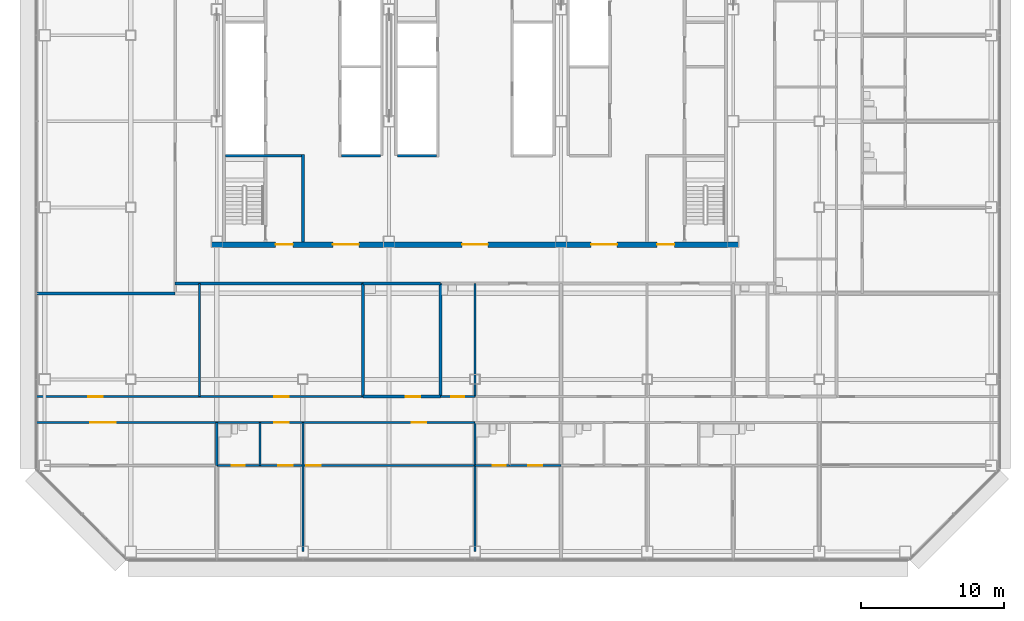
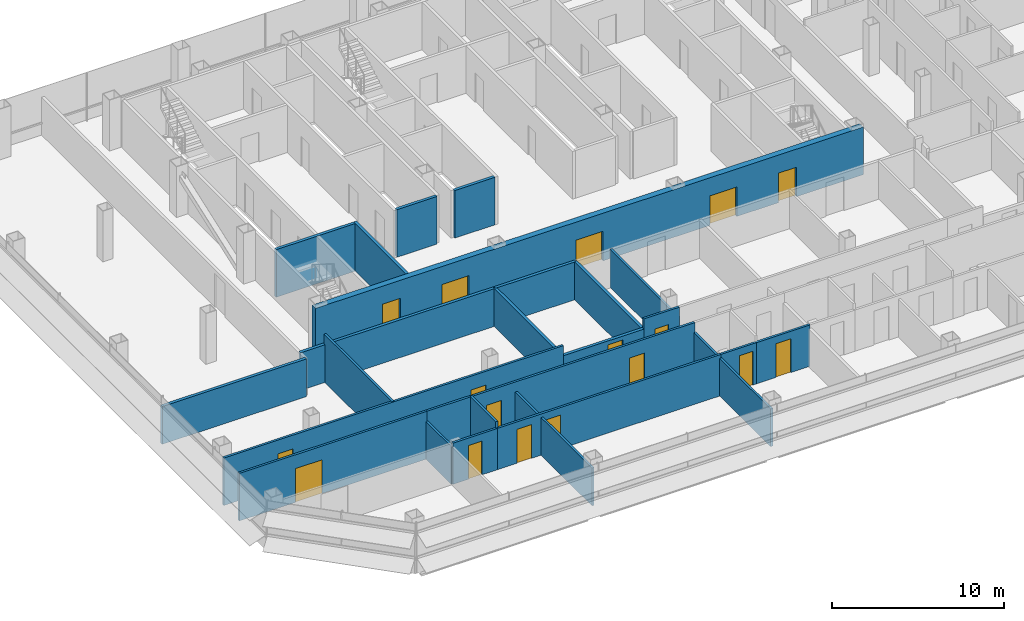
# One storey, part 19 of 26: 27 walls, 17 doors, 17 openings.
"""IFC4 building model written with IfcOpenShell, lengths in metres."""

from ifc_helpers import new_model, si_unit, direction, frame, frame_2d, origin, place, context, subcontext, project, spatial, rectangle, extrude, material, layer, layer_set, type_object, element, fill, save


model = new_model("IFC4")

# Units and contexts
model_context = context("Model", 3, precision=1e-05, world=origin(), true_north=direction((0.0, 1.0)))
body_context = subcontext(model_context, "Body", "Model", "MODEL_VIEW")
ifc_project = project(units=[si_unit("LENGTHUNIT", "METRE"), si_unit("AREAUNIT", "SQUARE_METRE"), si_unit("VOLUMEUNIT", "CUBIC_METRE"), si_unit("PLANEANGLEUNIT", "RADIAN"), si_unit("MASSUNIT", "GRAM", prefix="KILO")], contexts=[model_context])

# Site, building, storey
site_placement = place(None, origin())
site = spatial("IfcSite", under=ifc_project, at=site_placement, CompositionType="ELEMENT")
building_placement = place(site_placement, origin())
building = spatial("IfcBuilding", under=site, at=building_placement, Name="Sorahane Residences", CompositionType="ELEMENT")
storey_placement = place(building_placement, frame((0.0, 0.0, 110.60009765625)))
storey = spatial("IfcBuildingStorey", under=building, at=storey_placement, Name="L24", CompositionType="ELEMENT", Elevation=110.60009765625)

# Walls
ifc_material_1 = material(Name="Concrete blockwork C20 wall", Category="masonry")
ifc_layer_1 = layer(ifc_material_1, 0.199951171875)
ifc_layer_set_1 = layer_set([ifc_layer_1], Name="Corridor wall 200 EI 120")
wall_type_1 = type_object("IfcWallType", Name="Corridor wall 200 EI 120", PredefinedType="SOLIDWALL", material=ifc_layer_set_1)
wall_1_placement = place(storey_placement, frame((-6.60009765625, 18.0, 0.0), z_axis=(0.0, 0.0, 1.0), x_axis=(1.0, 0.0, 0.0)))
element("IfcWall", 1, at=wall_1_placement, inside=storey, type_object=wall_type_1, Name="L24 corridor wall", PredefinedType="SOLIDWALL", context=body_context, shape_type="SweptSolid", body=[
    extrude(rectangle(XDim=9.7001953125, YDim=0.199951171875, at=frame_2d((4.85009765625, 0.0))), origin(), (0.0, 0.0, 1.0), 2.679931640625),
])
wall_2_placement = place(storey_placement, frame((3.10009765625, 18.699951171875, 0.0), z_axis=(0.0, 0.0, 1.0), x_axis=(1.0, 0.0, 0.0)))
element("IfcWall", 2, at=wall_2_placement, inside=storey, type_object=wall_type_1, Name="L24 corridor wall", PredefinedType="SOLIDWALL", context=body_context, shape_type="SweptSolid", body=[
    extrude(rectangle(XDim=13.099853515625, YDim=0.199951171875, at=frame_2d((6.5498046875, 0.0))), origin(), (0.0, 0.0, 1.0), 2.679931640625),
])
ifc_material_2 = material(Name="Concrete C30", Category="concrete")
ifc_layer_2 = layer(ifc_material_2, 0.199951171875)
ifc_layer_set_2 = layer_set([ifc_layer_2], Name="Front room wall 200 EI 120")
wall_type_2 = type_object("IfcWallType", Name="Front room wall 200 EI 120", PredefinedType="PARTITIONING", material=ifc_layer_set_2)
wall_3_placement = place(storey_placement, frame((12.0, 21.60009765625, 0.0), z_axis=(0.0, 0.0, 1.0), x_axis=(0.0, 1.0, 0.0)))
element("IfcWall", 3, at=wall_3_placement, inside=storey, type_object=wall_type_2, Name="L24 front room wall", PredefinedType="PARTITIONING", context=body_context, shape_type="SweptSolid", body=[
    extrude(rectangle(XDim=6.099853515625, YDim=0.199951171875, at=frame_2d((3.0498046875, 0.0))), origin(), (0.0, 0.0, 1.0), 3.3798828125),
])
ifc_material_3 = material(Name="Concrete blockwork C20 wall", Category="masonry")
ifc_layer_3 = layer(ifc_material_3, 0.199951171875)
ifc_layer_set_3 = layer_set([ifc_layer_3], Name="Kitchen wall 200 EI 180")
wall_type_3 = type_object("IfcWallType", Name="Kitchen wall 200 EI 180", PredefinedType="SOLIDWALL", material=ifc_layer_set_3)
for number, where, z_axis, x_axis, name in (
    (4, (16.199951171875, 10.800048828125, 0.0), (0.0, 0.0, 1.0), (0.0, 1.0, 0.0), "L24 kitchen wall"),
    (5, (21.60009765625, 10.800048828125, 0.0), (0.0, 0.0, 1.0), (0.0, 1.0, 0.0), "L24 kitchen wall"),
):
    element("IfcWall", number, at=place(storey_placement, frame(where, z_axis=z_axis, x_axis=x_axis)), inside=storey, type_object=wall_type_3, Name=name, PredefinedType="SOLIDWALL", context=body_context, shape_type="SweptSolid", body=[
        extrude(rectangle(XDim=7.89990234375, YDim=0.199951171875, at=frame_2d((3.949951171875, 0.0))), origin(), (0.0, 0.0, 1.0), 2.679931640625),
    ])

# Wall, opening, door
wall_4_placement = place(storey_placement, frame((16.199951171875, 10.800048828125, 0.0), z_axis=(0.0, 0.0, 1.0), x_axis=(1.0, 0.0, 0.0)))
wall_4 = element("IfcWall", 6, at=wall_4_placement, inside=storey, type_object=wall_type_3, Name="L24 kitchen wall", PredefinedType="SOLIDWALL", context=body_context, shape_type="SweptSolid", body=[
    extrude(rectangle(XDim=5.400146484375, YDim=0.199951171875, at=frame_2d((2.7001953125, 0.0))), origin(), (0.0, 0.0, 1.0), 2.679931640625),
])
opening_1_placement = place(wall_4_placement, frame((2.97998046875, 0.0, 0.0)))
opening_1 = element("IfcOpeningElement", 7, at=opening_1_placement, cuts=wall_4, Name="Opening L24-04", PredefinedType="OPENING", context=body_context, shape_type="SweptSolid", body=[
    extrude(rectangle(XDim=1.0, YDim=2.39990234375, at=frame_2d((0.5, 1.199951171875))), frame((0.0, 0.10986328125, 0.0), z_axis=(0.0, -1.0, 0.0), x_axis=(1.0, 0.0, 0.0)), (0.0, 0.0, 1.0), 0.219970703125),
])
ifc_material_4 = material(Name="Steel", Category="steel")
door_type_1 = type_object("IfcDoorType", Name="Kitchen door 1000x2400 FD120", OperationType="NOTDEFINED", PredefinedType="DOOR", material=ifc_material_4)
door_1_placement = place(opening_1_placement, origin())
door_1 = element("IfcDoor", 8, at=door_1_placement, inside=storey, type_object=door_type_1, Name="Kitchen door L24-04", OperationType="SINGLE_SWING_RIGHT", OverallHeight=2.39990234375, OverallWidth=1.0, PredefinedType="DOOR", context=body_context, shape_type="SweptSolid", body=[
    extrude(rectangle(XDim=1.0, YDim=2.39990234375, at=frame_2d((0.5, 1.199951171875))), frame((0.0, 0.02490234375, 0.0), z_axis=(0.0, -1.0, 0.0), x_axis=(1.0, 0.0, 0.0)), (0.0, 0.0, 1.0), 0.050048828125),
])
fill(opening_1, door_1)

# Walls
wall_5_placement = place(storey_placement, frame((16.199951171875, 18.699951171875, 0.0), z_axis=(0.0, 0.0, 1.0), x_axis=(1.0, 0.0, 0.0)))
element("IfcWall", 9, at=wall_5_placement, inside=storey, type_object=wall_type_3, Name="L24 kitchen wall", PredefinedType="SOLIDWALL", context=body_context, shape_type="SweptSolid", body=[
    extrude(rectangle(XDim=5.400146484375, YDim=0.199951171875, at=frame_2d((2.7001953125, 0.0))), origin(), (0.0, 0.0, 1.0), 2.679931640625),
])
ifc_material_5 = material(Name="Concrete C30", Category="concrete")
ifc_layer_4 = layer(ifc_material_5, 0.199951171875)
ifc_layer_set_4 = layer_set([ifc_layer_4], Name="Lift shaft wall 200 EI 120")
wall_type_4 = type_object("IfcWallType", Name="Lift shaft wall 200 EI 120", PredefinedType="SOLIDWALL", material=ifc_layer_set_4)
for number, where, z_axis, x_axis, name in (
    (10, (14.699951171875, 27.60009765625, 0.0), (0.0, 0.0, 1.0), (1.0, 0.0, 0.0), "L24 lift shaft wall"),
    (11, (18.60009765625, 27.60009765625, 0.0), (0.0, 0.0, 1.0), (1.0, 0.0, 0.0), "L24 lift shaft wall"),
):
    element("IfcWall", number, at=place(storey_placement, frame(where, z_axis=z_axis, x_axis=x_axis)), inside=storey, type_object=wall_type_4, Name=name, PredefinedType="SOLIDWALL", context=body_context, shape_type="SweptSolid", body=[
        extrude(rectangle(XDim=2.699951171875, YDim=0.199951171875, at=frame_2d((1.35009765625, 0.0))), origin(), (0.0, 0.0, 1.0), 3.3798828125),
    ])
ifc_material_6 = material(Name="Gypsum board partition on steel studs", Category="steel")
ifc_layer_5 = layer(ifc_material_6, 0.14990234375)
ifc_layer_set_5 = layer_set([ifc_layer_5], Name="Partition 150 EI 90")
wall_type_5 = type_object("IfcWallType", Name="Partition 150 EI 90", PredefinedType="PARTITIONING", material=ifc_layer_set_5)
wall_6_placement = place(storey_placement, frame((12.0, 0.0, 0.0), z_axis=(0.0, 0.0, 1.0), x_axis=(0.0, 1.0, 0.0)))
element("IfcWall", 12, at=wall_6_placement, inside=storey, type_object=wall_type_5, Name="L24 partition", PredefinedType="PARTITIONING", context=body_context, shape_type="SweptSolid", body=[
    extrude(rectangle(XDim=9.0, YDim=0.14990234375, at=frame_2d((4.5, 0.0))), origin(), (0.0, 0.0, 1.0), 2.679931640625),
])
wall_7_placement = place(storey_placement, frame((24.0, 0.0, 0.0), z_axis=(0.0, 0.0, 1.0), x_axis=(0.0, 1.0, 0.0)))
element("IfcWall", 13, at=wall_7_placement, inside=storey, type_object=wall_type_5, Name="L24 partition", PredefinedType="PARTITIONING", context=body_context, shape_type="SweptSolid", body=[
    extrude(rectangle(XDim=6.0, YDim=0.14990234375, at=frame_2d((3.0, 0.0))), origin(), (0.0, 0.0, 1.0), 2.679931640625),
])
wall_8_placement = place(storey_placement, frame((4.800048828125, 10.800048828125, 0.0), z_axis=(0.0, 0.0, 1.0), x_axis=(0.0, 1.0, 0.0)))
element("IfcWall", 14, at=wall_8_placement, inside=storey, type_object=wall_type_5, Name="L24 partition", PredefinedType="PARTITIONING", context=body_context, shape_type="SweptSolid", body=[
    extrude(rectangle(XDim=7.89990234375, YDim=0.14990234375, at=frame_2d((3.949951171875, 0.0))), origin(), (0.0, 0.0, 1.0), 3.3798828125),
])

# Wall, openings, doors
wall_9_placement = place(storey_placement, frame((-6.60009765625, 10.800048828125, 0.0), z_axis=(0.0, 0.0, 1.0), x_axis=(1.0, 0.0, 0.0)))
wall_9 = element("IfcWall", 15, at=wall_9_placement, inside=storey, type_object=wall_type_5, Name="L24 partition", PredefinedType="PARTITIONING", context=body_context, shape_type="SweptSolid", body=[
    extrude(rectangle(XDim=22.800048828125, YDim=0.14990234375, at=frame_2d((11.39990234375, 0.0))), origin(), (0.0, 0.0, 1.0), 3.3798828125),
])
opening_2_placement = place(wall_9_placement, frame((3.639892578125, 0.0, 0.0)))
opening_2 = element("IfcOpeningElement", 16, at=opening_2_placement, cuts=wall_9, Name="Opening L24-02", PredefinedType="OPENING", context=body_context, shape_type="SweptSolid", body=[
    extrude(rectangle(XDim=1.0, YDim=2.39990234375, at=frame_2d((0.5, 1.199951171875))), frame((0.0, 0.0849609375, 0.0), z_axis=(0.0, -1.0, 0.0), x_axis=(1.0, 0.0, 0.0)), (0.0, 0.0, 1.0), 0.169921875),
])
opening_3_placement = place(wall_9_placement, frame((16.60009765625, 0.0, 0.0)))
opening_3 = element("IfcOpeningElement", 17, at=opening_3_placement, cuts=wall_9, Name="Opening L24-03", PredefinedType="OPENING", context=body_context, shape_type="SweptSolid", body=[
    extrude(rectangle(XDim=1.0, YDim=2.39990234375, at=frame_2d((0.5, 1.199951171875))), frame((0.0, 0.0849609375, 0.0), z_axis=(0.0, -1.0, 0.0), x_axis=(1.0, 0.0, 0.0)), (0.0, 0.0, 1.0), 0.169921875),
])
ifc_material_7 = material(Name="Timber veneered fire door", Category="wood")
door_type_2 = type_object("IfcDoorType", Name="Room door 1000x2400 FD30", OperationType="NOTDEFINED", PredefinedType="DOOR", material=ifc_material_7)
door_2_placement = place(opening_2_placement, origin())
door_2 = element("IfcDoor", 18, at=door_2_placement, inside=storey, type_object=door_type_2, Name="Room door L24-02", OperationType="SINGLE_SWING_LEFT", OverallHeight=2.39990234375, OverallWidth=1.0, PredefinedType="DOOR", context=body_context, shape_type="SweptSolid", body=[
    extrude(rectangle(XDim=1.0, YDim=2.39990234375, at=frame_2d((0.5, 1.199951171875))), frame((0.0, 0.02490234375, 0.0), z_axis=(0.0, -1.0, 0.0), x_axis=(1.0, 0.0, 0.0)), (0.0, 0.0, 1.0), 0.050048828125),
])
fill(opening_2, door_2)
door_3_placement = place(opening_3_placement, origin())
door_3 = element("IfcDoor", 19, at=door_3_placement, inside=storey, type_object=door_type_2, Name="Room door L24-03", OperationType="SINGLE_SWING_LEFT", OverallHeight=2.39990234375, OverallWidth=1.0, PredefinedType="DOOR", context=body_context, shape_type="SweptSolid", body=[
    extrude(rectangle(XDim=1.0, YDim=2.39990234375, at=frame_2d((0.5, 1.199951171875))), frame((0.0, 0.02490234375, 0.0), z_axis=(0.0, -1.0, 0.0), x_axis=(1.0, 0.0, 0.0)), (0.0, 0.0, 1.0), 0.050048828125),
])
fill(opening_3, door_3)

wall_10_placement = place(storey_placement, frame((9.0, 6.0, 0.0), z_axis=(0.0, 0.0, 1.0), x_axis=(1.0, 0.0, 0.0)))
wall_10 = element("IfcWall", 20, at=wall_10_placement, inside=storey, type_object=wall_type_5, Name="L24 partition", PredefinedType="PARTITIONING", context=body_context, shape_type="SweptSolid", body=[
    extrude(rectangle(XDim=15.0, YDim=0.14990234375, at=frame_2d((7.5, 0.0))), origin(), (0.0, 0.0, 1.0), 2.929931640625),
])
opening_4_placement = place(wall_10_placement, frame((1.300048828125, 0.0, 0.0)))
opening_4 = element("IfcOpeningElement", 21, at=opening_4_placement, cuts=wall_10, Name="Opening L24-11", PredefinedType="OPENING", context=body_context, shape_type="SweptSolid", body=[
    extrude(rectangle(XDim=1.0, YDim=2.39990234375, at=frame_2d((0.5, 1.199951171875))), frame((0.0, 0.0849609375, 0.0), z_axis=(0.0, -1.0, 0.0), x_axis=(1.0, 0.0, 0.0)), (0.0, 0.0, 1.0), 0.169921875),
])
opening_5_placement = place(wall_10_placement, frame((3.25, 0.0, 0.0)))
opening_5 = element("IfcOpeningElement", 22, at=opening_5_placement, cuts=wall_10, Name="Opening L24-13", PredefinedType="OPENING", context=body_context, shape_type="SweptSolid", body=[
    extrude(rectangle(XDim=1.0, YDim=2.39990234375, at=frame_2d((0.5, 1.199951171875))), frame((0.0, 0.0849609375, 0.0), z_axis=(0.0, -1.0, 0.0), x_axis=(1.0, 0.0, 0.0)), (0.0, 0.0, 1.0), 0.169921875),
])
door_4_placement = place(opening_4_placement, frame((1.0, 0.0, 0.0), z_axis=(0.0, 0.0, 1.0), x_axis=(-1.0, 0.0, 0.0)))
door_4 = element("IfcDoor", 23, at=door_4_placement, inside=storey, type_object=door_type_2, Name="Room door L24-11", OperationType="SINGLE_SWING_LEFT", OverallHeight=2.39990234375, OverallWidth=1.0, PredefinedType="DOOR", context=body_context, shape_type="SweptSolid", body=[
    extrude(rectangle(XDim=1.0, YDim=2.39990234375, at=frame_2d((0.5, 1.199951171875))), frame((0.0, 0.02490234375, 0.0), z_axis=(0.0, -1.0, 0.0), x_axis=(1.0, 0.0, 0.0)), (0.0, 0.0, 1.0), 0.050048828125),
])
fill(opening_4, door_4)
door_5_placement = place(opening_5_placement, frame((1.0, 0.0, 0.0), z_axis=(0.0, 0.0, 1.0), x_axis=(-1.0, 0.0, 0.0)))
door_5 = element("IfcDoor", 24, at=door_5_placement, inside=storey, type_object=door_type_2, Name="Room door L24-13", OperationType="SINGLE_SWING_LEFT", OverallHeight=2.39990234375, OverallWidth=1.0, PredefinedType="DOOR", context=body_context, shape_type="SweptSolid", body=[
    extrude(rectangle(XDim=1.0, YDim=2.39990234375, at=frame_2d((0.5, 1.199951171875))), frame((0.0, 0.02490234375, 0.0), z_axis=(0.0, -1.0, 0.0), x_axis=(1.0, 0.0, 0.0)), (0.0, 0.0, 1.0), 0.050048828125),
])
fill(opening_5, door_5)

# Wall, opening, door
wall_11_placement = place(storey_placement, frame((26.39990234375, 6.0, 0.0), z_axis=(0.0, 0.0, 1.0), x_axis=(1.0, 0.0, 0.0)))
wall_11 = element("IfcWall", 25, at=wall_11_placement, inside=storey, type_object=wall_type_5, Name="L24 partition", PredefinedType="PARTITIONING", context=body_context, shape_type="SweptSolid", body=[
    extrude(rectangle(XDim=3.60009765625, YDim=0.14990234375, at=frame_2d((1.800048828125, 0.0))), origin(), (0.0, 0.0, 1.0), 2.929931640625),
])
opening_6_placement = place(wall_11_placement, frame((1.300048828125, 0.0, 0.0)))
opening_6 = element("IfcOpeningElement", 26, at=opening_6_placement, cuts=wall_11, Name="Opening L24-14", PredefinedType="OPENING", context=body_context, shape_type="SweptSolid", body=[
    extrude(rectangle(XDim=1.0, YDim=2.39990234375, at=frame_2d((0.5, 1.199951171875))), frame((0.0, 0.0849609375, 0.0), z_axis=(0.0, -1.0, 0.0), x_axis=(1.0, 0.0, 0.0)), (0.0, 0.0, 1.0), 0.169921875),
])
door_6_placement = place(opening_6_placement, frame((1.0, 0.0, 0.0), z_axis=(0.0, 0.0, 1.0), x_axis=(-1.0, 0.0, 0.0)))
door_6 = element("IfcDoor", 27, at=door_6_placement, inside=storey, type_object=door_type_2, Name="Room door L24-14", OperationType="SINGLE_SWING_LEFT", OverallHeight=2.39990234375, OverallWidth=1.0, PredefinedType="DOOR", context=body_context, shape_type="SweptSolid", body=[
    extrude(rectangle(XDim=1.0, YDim=2.39990234375, at=frame_2d((0.5, 1.199951171875))), frame((0.0, 0.02490234375, 0.0), z_axis=(0.0, -1.0, 0.0), x_axis=(1.0, 0.0, 0.0)), (0.0, 0.0, 1.0), 0.050048828125),
])
fill(opening_6, door_6)

wall_12_placement = place(storey_placement, frame((-6.60009765625, 9.0, 0.0), z_axis=(0.0, 0.0, 1.0), x_axis=(1.0, 0.0, 0.0)))
wall_12 = element("IfcWall", 28, at=wall_12_placement, inside=storey, type_object=wall_type_5, Name="L24 partition", PredefinedType="PARTITIONING", context=body_context, shape_type="SweptSolid", body=[
    extrude(rectangle(XDim=12.60009765625, YDim=0.14990234375, at=frame_2d((6.300048828125, 0.0))), origin(), (0.0, 0.0, 1.0), 3.3798828125),
])
opening_7_placement = place(wall_12_placement, frame((3.760009765625, 0.0, 0.0)))
opening_7 = element("IfcOpeningElement", 29, at=opening_7_placement, cuts=wall_12, Name="Opening L24-06", PredefinedType="OPENING", context=body_context, shape_type="SweptSolid", body=[
    extrude(rectangle(XDim=1.800048828125, YDim=2.39990234375, at=frame_2d((0.89990234375, 1.199951171875))), frame((0.0, 0.0849609375, 0.0), z_axis=(0.0, -1.0, 0.0), x_axis=(1.0, 0.0, 0.0)), (0.0, 0.0, 1.0), 0.169921875),
])
ifc_material_8 = material(Name="Timber veneered fire door", Category="wood")
door_type_3 = type_object("IfcDoorType", Name="Double door 1800x2400 FD30", OperationType="NOTDEFINED", PredefinedType="DOOR", material=ifc_material_8)
door_7_placement = place(opening_7_placement, frame((1.800048828125, 0.0, 0.0), z_axis=(0.0, 0.0, 1.0), x_axis=(-1.0, 0.0, 0.0)))
door_7 = element("IfcDoor", 30, at=door_7_placement, inside=storey, type_object=door_type_3, Name="Double door L24-06", OperationType="SINGLE_SWING_LEFT", OverallHeight=2.39990234375, OverallWidth=1.800048828125, PredefinedType="DOOR", context=body_context, shape_type="SweptSolid", body=[
    extrude(rectangle(XDim=1.800048828125, YDim=2.39990234375, at=frame_2d((0.89990234375, 1.199951171875))), frame((0.0, 0.02490234375, 0.0), z_axis=(0.0, -1.0, 0.0), x_axis=(1.0, 0.0, 0.0)), (0.0, 0.0, 1.0), 0.050048828125),
])
fill(opening_7, door_7)

# Wall, openings, doors
wall_13_placement = place(storey_placement, frame((9.0, 9.0, 0.0), z_axis=(0.0, 0.0, 1.0), x_axis=(1.0, 0.0, 0.0)))
wall_13 = element("IfcWall", 31, at=wall_13_placement, inside=storey, type_object=wall_type_5, Name="L24 partition", PredefinedType="PARTITIONING", context=body_context, shape_type="SweptSolid", body=[
    extrude(rectangle(XDim=15.0, YDim=0.14990234375, at=frame_2d((7.5, 0.0))), origin(), (0.0, 0.0, 1.0), 3.3798828125),
])
opening_8_placement = place(wall_13_placement, frame((1.0, 0.0, 0.0)))
opening_8 = element("IfcOpeningElement", 32, at=opening_8_placement, cuts=wall_13, Name="Opening L24-07", PredefinedType="OPENING", context=body_context, shape_type="SweptSolid", body=[
    extrude(rectangle(XDim=1.0, YDim=2.39990234375, at=frame_2d((0.5, 1.199951171875))), frame((0.0, 0.0849609375, 0.0), z_axis=(0.0, -1.0, 0.0), x_axis=(1.0, 0.0, 0.0)), (0.0, 0.0, 1.0), 0.169921875),
])
opening_9_placement = place(wall_13_placement, frame((10.60009765625, 0.0, 0.0)))
opening_9 = element("IfcOpeningElement", 33, at=opening_9_placement, cuts=wall_13, Name="Opening L24-08", PredefinedType="OPENING", context=body_context, shape_type="SweptSolid", body=[
    extrude(rectangle(XDim=1.0, YDim=2.39990234375, at=frame_2d((0.5, 1.199951171875))), frame((0.0, 0.0849609375, 0.0), z_axis=(0.0, -1.0, 0.0), x_axis=(1.0, 0.0, 0.0)), (0.0, 0.0, 1.0), 0.169921875),
])
door_8_placement = place(opening_8_placement, frame((1.0, 0.0, 0.0), z_axis=(0.0, 0.0, 1.0), x_axis=(-1.0, 0.0, 0.0)))
door_8 = element("IfcDoor", 34, at=door_8_placement, inside=storey, type_object=door_type_2, Name="Room door L24-07", OperationType="SINGLE_SWING_RIGHT", OverallHeight=2.39990234375, OverallWidth=1.0, PredefinedType="DOOR", context=body_context, shape_type="SweptSolid", body=[
    extrude(rectangle(XDim=1.0, YDim=2.39990234375, at=frame_2d((0.5, 1.199951171875))), frame((0.0, 0.02490234375, 0.0), z_axis=(0.0, -1.0, 0.0), x_axis=(1.0, 0.0, 0.0)), (0.0, 0.0, 1.0), 0.050048828125),
])
fill(opening_8, door_8)
door_9_placement = place(opening_9_placement, frame((1.0, 0.0, 0.0), z_axis=(0.0, 0.0, 1.0), x_axis=(-1.0, 0.0, 0.0)))
door_9 = element("IfcDoor", 35, at=door_9_placement, inside=storey, type_object=door_type_2, Name="Room door L24-08", OperationType="SINGLE_SWING_RIGHT", OverallHeight=2.39990234375, OverallWidth=1.0, PredefinedType="DOOR", context=body_context, shape_type="SweptSolid", body=[
    extrude(rectangle(XDim=1.0, YDim=2.39990234375, at=frame_2d((0.5, 1.199951171875))), frame((0.0, 0.02490234375, 0.0), z_axis=(0.0, -1.0, 0.0), x_axis=(1.0, 0.0, 0.0)), (0.0, 0.0, 1.0), 0.050048828125),
])
fill(opening_9, door_9)

# Wall
ifc_material_9 = material(Name="Concrete C30", Category="concrete")
ifc_layer_6 = layer(ifc_material_9, 0.199951171875)
ifc_layer_set_6 = layer_set([ifc_layer_6], Name="Stair enclosure wall 200 EI 120")
wall_type_6 = type_object("IfcWallType", Name="Stair enclosure wall 200 EI 120", PredefinedType="SOLIDWALL", material=ifc_layer_set_6)
wall_14_placement = place(storey_placement, frame((6.60009765625, 27.60009765625, 0.0), z_axis=(0.0, 0.0, 1.0), x_axis=(1.0, 0.0, 0.0)))
element("IfcWall", 36, at=wall_14_placement, inside=storey, type_object=wall_type_6, Name="L24 stair enclosure wall", PredefinedType="SOLIDWALL", context=body_context, shape_type="SweptSolid", body=[
    extrude(rectangle(XDim=5.2998046875, YDim=0.199951171875, at=frame_2d((2.64990234375, 0.0))), origin(), (0.0, 0.0, 1.0), 3.3798828125),
])

# Wall, openings, doors
ifc_material_10 = material(Name="Concrete C30", Category="concrete")
ifc_layer_7 = layer(ifc_material_10, 0.39990234375)
ifc_layer_set_7 = layer_set([ifc_layer_7], Name="Waiting hall wall 400 EI 120")
wall_type_7 = type_object("IfcWallType", Name="Waiting hall wall 400 EI 120", PredefinedType="SOLIDWALL", material=ifc_layer_set_7)
wall_15_placement = place(storey_placement, frame((5.60009765625, 21.39990234375, 0.0), z_axis=(0.0, 0.0, 1.0), x_axis=(1.0, 0.0, 0.0)))
wall_15 = element("IfcWall", 37, at=wall_15_placement, inside=storey, type_object=wall_type_7, Name="L24 waiting hall wall", PredefinedType="SOLIDWALL", context=body_context, shape_type="SweptSolid", body=[
    extrude(rectangle(XDim=36.7998046875, YDim=0.39990234375, at=frame_2d((18.39990234375, 0.0))), origin(), (0.0, 0.0, 1.0), 3.3798828125),
])
opening_10_placement = place(wall_15_placement, frame((8.5, 0.0, 0.0)))
opening_10 = element("IfcOpeningElement", 38, at=opening_10_placement, cuts=wall_15, Name="Opening L24-C01", PredefinedType="OPENING", context=body_context, shape_type="SweptSolid", body=[
    extrude(rectangle(XDim=1.800048828125, YDim=2.10009765625, at=frame_2d((0.89990234375, 1.050048828125))), frame((0.0, 0.2099609375, 0.0), z_axis=(0.0, -1.0, 0.0), x_axis=(1.0, 0.0, 0.0)), (0.0, 0.0, 1.0), 0.419921875),
])
opening_11_placement = place(wall_15_placement, frame((17.5, 0.0, 0.0)))
opening_11 = element("IfcOpeningElement", 39, at=opening_11_placement, cuts=wall_15, Name="Opening L24-C02", PredefinedType="OPENING", context=body_context, shape_type="SweptSolid", body=[
    extrude(rectangle(XDim=1.800048828125, YDim=2.10009765625, at=frame_2d((0.89990234375, 1.050048828125))), frame((0.0, 0.2099609375, 0.0), z_axis=(0.0, -1.0, 0.0), x_axis=(1.0, 0.0, 0.0)), (0.0, 0.0, 1.0), 0.419921875),
])
opening_12_placement = place(wall_15_placement, frame((26.5, 0.0, 0.0)))
opening_12 = element("IfcOpeningElement", 40, at=opening_12_placement, cuts=wall_15, Name="Opening L24-C03", PredefinedType="OPENING", context=body_context, shape_type="SweptSolid", body=[
    extrude(rectangle(XDim=1.800048828125, YDim=2.10009765625, at=frame_2d((0.89990234375, 1.050048828125))), frame((0.0, 0.2099609375, 0.0), z_axis=(0.0, -1.0, 0.0), x_axis=(1.0, 0.0, 0.0)), (0.0, 0.0, 1.0), 0.419921875),
])
opening_13_placement = place(wall_15_placement, frame((4.5, 0.0, 0.0)))
opening_13 = element("IfcOpeningElement", 41, at=opening_13_placement, cuts=wall_15, Name="Opening L24-C04", PredefinedType="OPENING", context=body_context, shape_type="SweptSolid", body=[
    extrude(rectangle(XDim=1.199951171875, YDim=2.10009765625, at=frame_2d((0.60009765625, 1.050048828125))), frame((0.0, 0.2099609375, 0.0), z_axis=(0.0, -1.0, 0.0), x_axis=(1.0, 0.0, 0.0)), (0.0, 0.0, 1.0), 0.419921875),
])
opening_14_placement = place(wall_15_placement, frame((31.10009765625, 0.0, 0.0)))
opening_14 = element("IfcOpeningElement", 42, at=opening_14_placement, cuts=wall_15, Name="Opening L24-C05", PredefinedType="OPENING", context=body_context, shape_type="SweptSolid", body=[
    extrude(rectangle(XDim=1.199951171875, YDim=2.10009765625, at=frame_2d((0.60009765625, 1.050048828125))), frame((0.0, 0.2099609375, 0.0), z_axis=(0.0, -1.0, 0.0), x_axis=(1.0, 0.0, 0.0)), (0.0, 0.0, 1.0), 0.419921875),
])
ifc_material_11 = material(Name="Steel", Category="steel")
door_type_4 = type_object("IfcDoorType", Name="Stair front room door 1200x2100 FD120", OperationType="NOTDEFINED", PredefinedType="DOOR", material=ifc_material_11)
door_10_placement = place(opening_13_placement, frame((1.199951171875, 0.0, 0.0), z_axis=(0.0, 0.0, 1.0), x_axis=(-1.0, 0.0, 0.0)))
door_10 = element("IfcDoor", 43, at=door_10_placement, inside=storey, type_object=door_type_4, Name="Stair front room door Stair S4 front room L24", OperationType="SINGLE_SWING_LEFT", OverallHeight=2.10009765625, OverallWidth=1.199951171875, PredefinedType="DOOR", context=body_context, shape_type="SweptSolid", body=[
    extrude(rectangle(XDim=1.199951171875, YDim=2.10009765625, at=frame_2d((0.60009765625, 1.050048828125))), frame((0.0, 0.02490234375, 0.0), z_axis=(0.0, -1.0, 0.0), x_axis=(1.0, 0.0, 0.0)), (0.0, 0.0, 1.0), 0.050048828125),
])
fill(opening_13, door_10)
door_11_placement = place(opening_14_placement, frame((1.199951171875, 0.0, 0.0), z_axis=(0.0, 0.0, 1.0), x_axis=(-1.0, 0.0, 0.0)))
door_11 = element("IfcDoor", 44, at=door_11_placement, inside=storey, type_object=door_type_4, Name="Stair front room door Stair S5 front room L24", OperationType="SINGLE_SWING_LEFT", OverallHeight=2.10009765625, OverallWidth=1.199951171875, PredefinedType="DOOR", context=body_context, shape_type="SweptSolid", body=[
    extrude(rectangle(XDim=1.199951171875, YDim=2.10009765625, at=frame_2d((0.60009765625, 1.050048828125))), frame((0.0, 0.02490234375, 0.0), z_axis=(0.0, -1.0, 0.0), x_axis=(1.0, 0.0, 0.0)), (0.0, 0.0, 1.0), 0.050048828125),
])
fill(opening_14, door_11)
ifc_material_12 = material(Name="Steel", Category="steel")
door_type_5 = type_object("IfcDoorType", Name="Waiting hall door 1800x2100 FD60", OperationType="NOTDEFINED", PredefinedType="DOOR", material=ifc_material_12)
door_12_placement = place(opening_10_placement, frame((1.800048828125, 0.0, 0.0), z_axis=(0.0, 0.0, 1.0), x_axis=(-1.0, 0.0, 0.0)))
door_12 = element("IfcDoor", 45, at=door_12_placement, inside=storey, type_object=door_type_5, Name="Waiting hall door Residents' waiting hall L24", OperationType="SINGLE_SWING_LEFT", OverallHeight=2.10009765625, OverallWidth=1.800048828125, PredefinedType="DOOR", context=body_context, shape_type="SweptSolid", body=[
    extrude(rectangle(XDim=1.800048828125, YDim=2.10009765625, at=frame_2d((0.89990234375, 1.050048828125))), frame((0.0, 0.02490234375, 0.0), z_axis=(0.0, -1.0, 0.0), x_axis=(1.0, 0.0, 0.0)), (0.0, 0.0, 1.0), 0.050048828125),
])
fill(opening_10, door_12)
door_13_placement = place(opening_11_placement, frame((1.800048828125, 0.0, 0.0), z_axis=(0.0, 0.0, 1.0), x_axis=(-1.0, 0.0, 0.0)))
door_13 = element("IfcDoor", 46, at=door_13_placement, inside=storey, type_object=door_type_5, Name="Waiting hall door Residents' waiting hall L24", OperationType="SINGLE_SWING_LEFT", OverallHeight=2.10009765625, OverallWidth=1.800048828125, PredefinedType="DOOR", context=body_context, shape_type="SweptSolid", body=[
    extrude(rectangle(XDim=1.800048828125, YDim=2.10009765625, at=frame_2d((0.89990234375, 1.050048828125))), frame((0.0, 0.02490234375, 0.0), z_axis=(0.0, -1.0, 0.0), x_axis=(1.0, 0.0, 0.0)), (0.0, 0.0, 1.0), 0.050048828125),
])
fill(opening_11, door_13)
door_14_placement = place(opening_12_placement, frame((1.800048828125, 0.0, 0.0), z_axis=(0.0, 0.0, 1.0), x_axis=(-1.0, 0.0, 0.0)))
door_14 = element("IfcDoor", 47, at=door_14_placement, inside=storey, type_object=door_type_5, Name="Waiting hall door Residents' waiting hall L24", OperationType="SINGLE_SWING_LEFT", OverallHeight=2.10009765625, OverallWidth=1.800048828125, PredefinedType="DOOR", context=body_context, shape_type="SweptSolid", body=[
    extrude(rectangle(XDim=1.800048828125, YDim=2.10009765625, at=frame_2d((0.89990234375, 1.050048828125))), frame((0.0, 0.02490234375, 0.0), z_axis=(0.0, -1.0, 0.0), x_axis=(1.0, 0.0, 0.0)), (0.0, 0.0, 1.0), 0.050048828125),
])
fill(opening_12, door_14)

# Walls
ifc_material_13 = material(Name="Gypsum board partition on steel studs", Category="steel")
ifc_layer_8 = layer(ifc_material_13, 0.14990234375)
ifc_layer_set_8 = layer_set([ifc_layer_8], Name="Wet wall 150 EI 90")
wall_type_8 = type_object("IfcWallType", Name="Wet wall 150 EI 90", PredefinedType="PARTITIONING", material=ifc_layer_set_8)
wall_16_placement = place(storey_placement, frame((24.0, 6.0, 0.0), z_axis=(0.0, 0.0, 1.0), x_axis=(0.0, 1.0, 0.0)))
element("IfcWall", 48, at=wall_16_placement, inside=storey, type_object=wall_type_8, Name="L24 wet wall", PredefinedType="PARTITIONING", context=body_context, shape_type="SweptSolid", body=[
    extrude(rectangle(XDim=3.0, YDim=0.14990234375, at=frame_2d((1.5, 0.0))), origin(), (0.0, 0.0, 1.0), 2.679931640625),
])
wall_17_placement = place(storey_placement, frame((24.0, 10.800048828125, 0.0), z_axis=(0.0, 0.0, 1.0), x_axis=(0.0, 1.0, 0.0)))
element("IfcWall", 49, at=wall_17_placement, inside=storey, type_object=wall_type_8, Name="L24 wet wall", PredefinedType="PARTITIONING", context=body_context, shape_type="SweptSolid", body=[
    extrude(rectangle(XDim=7.89990234375, YDim=0.14990234375, at=frame_2d((3.949951171875, 0.0))), origin(), (0.0, 0.0, 1.0), 2.679931640625),
])
wall_18_placement = place(storey_placement, frame((6.0, 6.0, 0.0), z_axis=(0.0, 0.0, 1.0), x_axis=(0.0, 1.0, 0.0)))
element("IfcWall", 50, at=wall_18_placement, inside=storey, type_object=wall_type_8, Name="L24 wet wall", PredefinedType="PARTITIONING", context=body_context, shape_type="SweptSolid", body=[
    extrude(rectangle(XDim=3.0, YDim=0.14990234375, at=frame_2d((1.5, 0.0))), origin(), (0.0, 0.0, 1.0), 2.679931640625),
])
wall_19_placement = place(storey_placement, frame((9.0, 6.0, 0.0), z_axis=(0.0, 0.0, 1.0), x_axis=(0.0, 1.0, 0.0)))
element("IfcWall", 51, at=wall_19_placement, inside=storey, type_object=wall_type_8, Name="L24 wet wall", PredefinedType="PARTITIONING", context=body_context, shape_type="SweptSolid", body=[
    extrude(rectangle(XDim=3.0, YDim=0.14990234375, at=frame_2d((1.5, 0.0))), origin(), (0.0, 0.0, 1.0), 3.3798828125),
])

# Wall, opening, door
wall_20_placement = place(storey_placement, frame((21.60009765625, 10.800048828125, 0.0), z_axis=(0.0, 0.0, 1.0), x_axis=(1.0, 0.0, 0.0)))
wall_20 = element("IfcWall", 52, at=wall_20_placement, inside=storey, type_object=wall_type_8, Name="L24 wet wall", PredefinedType="PARTITIONING", context=body_context, shape_type="SweptSolid", body=[
    extrude(rectangle(XDim=2.39990234375, YDim=0.14990234375, at=frame_2d((1.199951171875, 0.0))), origin(), (0.0, 0.0, 1.0), 3.3798828125),
])
opening_15_placement = place(wall_20_placement, frame((0.75, 0.0, 0.0)))
opening_15 = element("IfcOpeningElement", 53, at=opening_15_placement, cuts=wall_20, Name="Opening L24-05", PredefinedType="OPENING", context=body_context, shape_type="SweptSolid", body=[
    extrude(rectangle(XDim=0.89990234375, YDim=2.39990234375, at=frame_2d((0.449951171875, 1.199951171875))), frame((0.0, 0.0849609375, 0.0), z_axis=(0.0, -1.0, 0.0), x_axis=(1.0, 0.0, 0.0)), (0.0, 0.0, 1.0), 0.169921875),
])
ifc_material_14 = material(Name="Timber veneered fire door", Category="wood")
door_type_6 = type_object("IfcDoorType", Name="Bathroom door 900x2400 FD30", OperationType="NOTDEFINED", PredefinedType="DOOR", material=ifc_material_14)
door_15_placement = place(opening_15_placement, frame((0.89990234375, 0.0, 0.0), z_axis=(0.0, 0.0, 1.0), x_axis=(-1.0, 0.0, 0.0)))
door_15 = element("IfcDoor", 54, at=door_15_placement, inside=storey, type_object=door_type_6, Name="Bathroom door L24-05", OperationType="SINGLE_SWING_LEFT", OverallHeight=2.39990234375, OverallWidth=0.89990234375, PredefinedType="DOOR", context=body_context, shape_type="SweptSolid", body=[
    extrude(rectangle(XDim=0.89990234375, YDim=2.39990234375, at=frame_2d((0.449951171875, 1.199951171875))), frame((0.0, 0.02490234375, 0.0), z_axis=(0.0, -1.0, 0.0), x_axis=(1.0, 0.0, 0.0)), (0.0, 0.0, 1.0), 0.050048828125),
])
fill(opening_15, door_15)

wall_21_placement = place(storey_placement, frame((6.0, 6.0, 0.0), z_axis=(0.0, 0.0, 1.0), x_axis=(1.0, 0.0, 0.0)))
wall_21 = element("IfcWall", 55, at=wall_21_placement, inside=storey, type_object=wall_type_8, Name="L24 wet wall", PredefinedType="PARTITIONING", context=body_context, shape_type="SweptSolid", body=[
    extrude(rectangle(XDim=3.0, YDim=0.14990234375, at=frame_2d((1.5, 0.0))), origin(), (0.0, 0.0, 1.0), 2.929931640625),
])
opening_16_placement = place(wall_21_placement, frame((1.050048828125, 0.0, 0.0)))
opening_16 = element("IfcOpeningElement", 56, at=opening_16_placement, cuts=wall_21, Name="Opening L24-12", PredefinedType="OPENING", context=body_context, shape_type="SweptSolid", body=[
    extrude(rectangle(XDim=0.89990234375, YDim=2.39990234375, at=frame_2d((0.449951171875, 1.199951171875))), frame((0.0, 0.0849609375, 0.0), z_axis=(0.0, -1.0, 0.0), x_axis=(1.0, 0.0, 0.0)), (0.0, 0.0, 1.0), 0.169921875),
])
door_16_placement = place(opening_16_placement, frame((0.89990234375, 0.0, 0.0), z_axis=(0.0, 0.0, 1.0), x_axis=(-1.0, 0.0, 0.0)))
door_16 = element("IfcDoor", 57, at=door_16_placement, inside=storey, type_object=door_type_6, Name="Bathroom door L24-12", OperationType="SINGLE_SWING_RIGHT", OverallHeight=2.39990234375, OverallWidth=0.89990234375, PredefinedType="DOOR", context=body_context, shape_type="SweptSolid", body=[
    extrude(rectangle(XDim=0.89990234375, YDim=2.39990234375, at=frame_2d((0.449951171875, 1.199951171875))), frame((0.0, 0.02490234375, 0.0), z_axis=(0.0, -1.0, 0.0), x_axis=(1.0, 0.0, 0.0)), (0.0, 0.0, 1.0), 0.050048828125),
])
fill(opening_16, door_16)

wall_22_placement = place(storey_placement, frame((24.0, 6.0, 0.0), z_axis=(0.0, 0.0, 1.0), x_axis=(1.0, 0.0, 0.0)))
wall_22 = element("IfcWall", 58, at=wall_22_placement, inside=storey, type_object=wall_type_8, Name="L24 wet wall", PredefinedType="PARTITIONING", context=body_context, shape_type="SweptSolid", body=[
    extrude(rectangle(XDim=2.39990234375, YDim=0.14990234375, at=frame_2d((1.199951171875, 0.0))), origin(), (0.0, 0.0, 1.0), 2.929931640625),
])
opening_17_placement = place(wall_22_placement, frame((1.25, 0.0, 0.0)))
opening_17 = element("IfcOpeningElement", 59, at=opening_17_placement, cuts=wall_22, Name="Opening L24-15", PredefinedType="OPENING", context=body_context, shape_type="SweptSolid", body=[
    extrude(rectangle(XDim=0.89990234375, YDim=2.39990234375, at=frame_2d((0.449951171875, 1.199951171875))), frame((0.0, 0.0849609375, 0.0), z_axis=(0.0, -1.0, 0.0), x_axis=(1.0, 0.0, 0.0)), (0.0, 0.0, 1.0), 0.169921875),
])
door_17_placement = place(opening_17_placement, frame((0.89990234375, 0.0, 0.0), z_axis=(0.0, 0.0, 1.0), x_axis=(-1.0, 0.0, 0.0)))
door_17 = element("IfcDoor", 60, at=door_17_placement, inside=storey, type_object=door_type_6, Name="Bathroom door L24-15", OperationType="SINGLE_SWING_LEFT", OverallHeight=2.39990234375, OverallWidth=0.89990234375, PredefinedType="DOOR", context=body_context, shape_type="SweptSolid", body=[
    extrude(rectangle(XDim=0.89990234375, YDim=2.39990234375, at=frame_2d((0.449951171875, 1.199951171875))), frame((0.0, 0.02490234375, 0.0), z_axis=(0.0, -1.0, 0.0), x_axis=(1.0, 0.0, 0.0)), (0.0, 0.0, 1.0), 0.050048828125),
])
fill(opening_17, door_17)

# Wall
wall_23_placement = place(storey_placement, frame((6.0, 9.0, 0.0), z_axis=(0.0, 0.0, 1.0), x_axis=(1.0, 0.0, 0.0)))
element("IfcWall", 61, at=wall_23_placement, inside=storey, type_object=wall_type_8, Name="L24 wet wall", PredefinedType="PARTITIONING", context=body_context, shape_type="SweptSolid", body=[
    extrude(rectangle(XDim=3.0, YDim=0.14990234375, at=frame_2d((1.5, 0.0))), origin(), (0.0, 0.0, 1.0), 3.3798828125),
])

save(model, "model.ifc")
